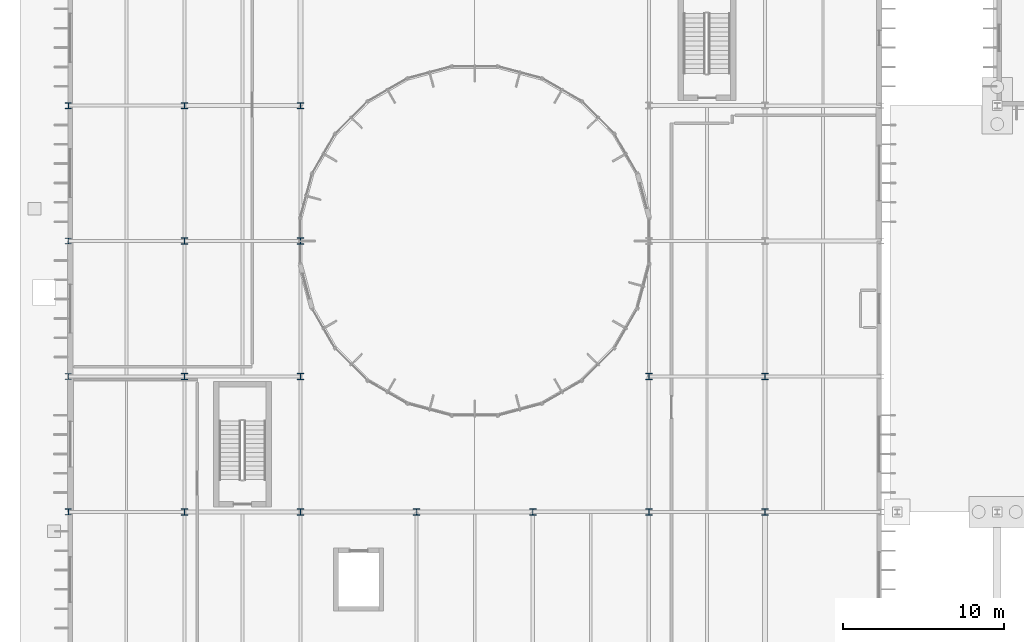
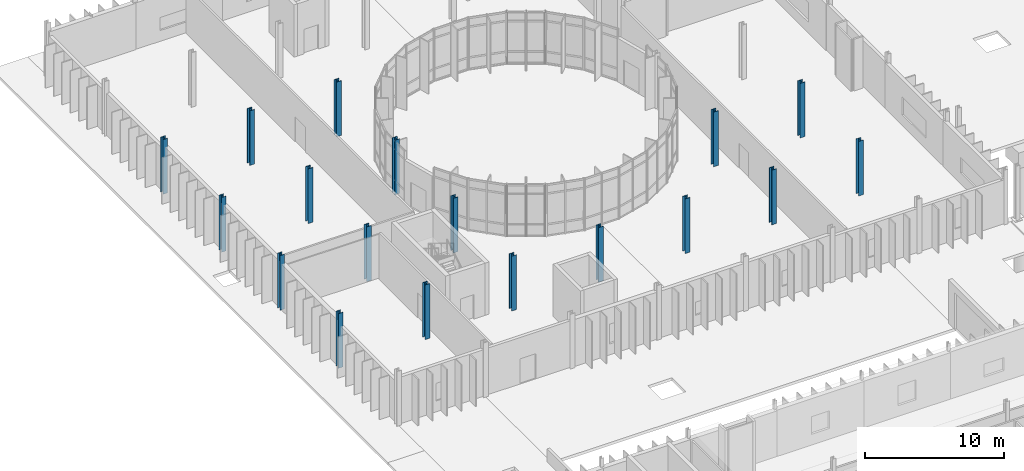
# One storey, part 17 of 118: 18 columns.
"""IFC4 building model written with IfcOpenShell, lengths in metres."""

from ifc_helpers import new_model, si_unit, direction, frame, origin, origin_2d, place, context, subcontext, project, spatial, i_section, extrude, material, material_profile, profile_set, type_object, element, save


model = new_model("IFC4")

# Units and contexts
model_context = context("Model", 3, precision=1e-05, world=origin(), true_north=direction((0.0, 1.0)))
body_context = subcontext(model_context, "Body", "Model", "MODEL_VIEW")
ifc_project = project(units=[si_unit("LENGTHUNIT", "METRE"), si_unit("AREAUNIT", "SQUARE_METRE"), si_unit("VOLUMEUNIT", "CUBIC_METRE"), si_unit("PLANEANGLEUNIT", "RADIAN"), si_unit("MASSUNIT", "GRAM", prefix="KILO")], contexts=[model_context])

# Site, building, storey
site_placement = place(None, origin())
site = spatial("IfcSite", under=ifc_project, at=site_placement, CompositionType="ELEMENT")
building_placement = place(site_placement, origin())
building = spatial("IfcBuilding", under=site, at=building_placement, Name="Qelthora Terrace Specialist Clinic", CompositionType="ELEMENT")
storey_placement = place(building_placement, origin())
storey = spatial("IfcBuildingStorey", under=building, at=storey_placement, Name="L00", CompositionType="ELEMENT", Elevation=0.0)

# Columns
ifc_material = material(Name="Steel S355", Category="steel")
ifc_material_profile_1 = material_profile(ifc_material, i_section(OverallWidth=0.37109375, OverallDepth=0.364013671875, WebThickness=0.01318359375, FlangeThickness=0.021728515625, FilletRadius=0.02001953125, at=origin_2d()), Name="W360X162")
ifc_profile_set_1 = profile_set([ifc_material_profile_1], Name="Steel S355")
column_type_1 = type_object("IfcColumnType", Name="COL-W360X162", PredefinedType="COLUMN", material=ifc_profile_set_1)
column_1_placement = place(storey_placement, frame((0.0, 84.0, 0.0), z_axis=(0.0, 0.0, 1.0), x_axis=(1.0, 0.0, 0.0)))
element("IfcColumn", 1, at=column_1_placement, inside=storey, type_object=column_type_1, Name="Column L00-011", PredefinedType="COLUMN", context=body_context, shape_type="SweptSolid", body=[
    extrude(i_section(OverallWidth=0.37109375, OverallDepth=0.364013671875, WebThickness=0.01318359375, FlangeThickness=0.021728515625, FilletRadius=0.02001953125, at=origin_2d()), origin(), (0.0, 0.0, 1.0), 4.800048828125),
])
ifc_material_profile_2 = material_profile(ifc_material, i_section(OverallWidth=0.373046875, OverallDepth=0.367919921875, WebThickness=0.014892578125, FlangeThickness=0.02392578125, FilletRadius=0.02001953125, at=origin_2d()), Name="W360X179")
ifc_profile_set_2 = profile_set([ifc_material_profile_2], Name="Steel S355")
column_type_2 = type_object("IfcColumnType", Name="COL-W360X179", PredefinedType="COLUMN", material=ifc_profile_set_2)
column_2_placement = place(storey_placement, frame((0.0, 75.60009765625, 0.0), z_axis=(0.0, 0.0, 1.0), x_axis=(1.0, 0.0, 0.0)))
element("IfcColumn", 2, at=column_2_placement, inside=storey, type_object=column_type_2, Name="Column L00-010", PredefinedType="COLUMN", context=body_context, shape_type="SweptSolid", body=[
    extrude(i_section(OverallWidth=0.373046875, OverallDepth=0.367919921875, WebThickness=0.014892578125, FlangeThickness=0.02392578125, FilletRadius=0.02001953125, at=origin_2d()), origin(), (0.0, 0.0, 1.0), 4.800048828125),
])
ifc_material_profile_3 = material_profile(ifc_material, i_section(OverallWidth=0.3740234375, OverallDepth=0.3720703125, WebThickness=0.016357421875, FlangeThickness=0.026123046875, FilletRadius=0.02001953125, at=origin_2d()), Name="W360X196")
ifc_profile_set_3 = profile_set([ifc_material_profile_3], Name="Steel S355")
column_type_3 = type_object("IfcColumnType", Name="COL-W360X196", PredefinedType="COLUMN", material=ifc_profile_set_3)
for number, where, z_axis, x_axis, name in (
    (3, (0.0, 67.199951171875, 0.0), (0.0, 0.0, 1.0), (1.0, 0.0, 0.0), "Column L00-009"),
    (4, (0.0, 92.39990234375, 0.0), (0.0, 0.0, 1.0), (1.0, 0.0, 0.0), "Column L00-012"),
):
    element("IfcColumn", number, at=place(storey_placement, frame(where, z_axis=z_axis, x_axis=x_axis)), inside=storey, type_object=column_type_3, Name=name, PredefinedType="COLUMN", context=body_context, shape_type="SweptSolid", body=[
        extrude(i_section(OverallWidth=0.3740234375, OverallDepth=0.3720703125, WebThickness=0.016357421875, FlangeThickness=0.026123046875, FilletRadius=0.02001953125, at=origin_2d()), origin(), (0.0, 0.0, 1.0), 4.800048828125),
    ])
ifc_material_profile_4 = material_profile(ifc_material, i_section(OverallWidth=0.39501953125, OverallDepth=0.3798828125, WebThickness=0.018798828125, FlangeThickness=0.0302734375, FilletRadius=0.02001953125, at=origin_2d()), Name="W360X237")
ifc_profile_set_4 = profile_set([ifc_material_profile_4], Name="Steel S355")
column_type_4 = type_object("IfcColumnType", Name="COL-W360X237", PredefinedType="COLUMN", material=ifc_profile_set_4)
for number, where, z_axis, x_axis, name in (
    (5, (7.199951171875, 92.39990234375, 0.0), (0.0, 0.0, 1.0), (1.0, 0.0, 0.0), "Column L00-026"),
    (6, (14.39990234375, 92.39990234375, 0.0), (0.0, 0.0, 1.0), (1.0, 0.0, 0.0), "Column L00-040"),
):
    element("IfcColumn", number, at=place(storey_placement, frame(where, z_axis=z_axis, x_axis=x_axis)), inside=storey, type_object=column_type_4, Name=name, PredefinedType="COLUMN", context=body_context, shape_type="SweptSolid", body=[
        extrude(i_section(OverallWidth=0.39501953125, OverallDepth=0.3798828125, WebThickness=0.018798828125, FlangeThickness=0.0302734375, FilletRadius=0.02001953125, at=origin_2d()), origin(), (0.0, 0.0, 1.0), 4.800048828125),
    ])
ifc_material_profile_5 = material_profile(ifc_material, i_section(OverallWidth=0.39794921875, OverallDepth=0.386962890625, WebThickness=0.02099609375, FlangeThickness=0.033203125, FilletRadius=0.02001953125, at=origin_2d()), Name="W360X262")
ifc_profile_set_5 = profile_set([ifc_material_profile_5], Name="Steel S355")
column_type_5 = type_object("IfcColumnType", Name="COL-W360X262", PredefinedType="COLUMN", material=ifc_profile_set_5)
for number, where, z_axis, x_axis, name in (
    (7, (7.199951171875, 67.199951171875, 0.0), (0.0, 0.0, 1.0), (1.0, 0.0, 0.0), "Column L00-023"),
    (8, (7.199951171875, 84.0, 0.0), (0.0, 0.0, 1.0), (1.0, 0.0, 0.0), "Column L00-025"),
    (9, (14.39990234375, 67.199951171875, 0.0), (0.0, 0.0, 1.0), (1.0, 0.0, 0.0), "Column L00-037"),
    (10, (14.39990234375, 84.0, 0.0), (0.0, 0.0, 1.0), (1.0, 0.0, 0.0), "Column L00-039"),
    (11, (21.60009765625, 67.199951171875, 0.0), (0.0, 0.0, 1.0), (1.0, 0.0, 0.0), "Column L00-051"),
    (12, (36.0, 67.199951171875, 0.0), (0.0, 0.0, 1.0), (1.0, 0.0, 0.0), "Column L00-073"),
    (13, (43.199951171875, 67.199951171875, 0.0), (0.0, 0.0, 1.0), (1.0, 0.0, 0.0), "Column L00-087"),
):
    element("IfcColumn", number, at=place(storey_placement, frame(where, z_axis=z_axis, x_axis=x_axis)), inside=storey, type_object=column_type_5, Name=name, PredefinedType="COLUMN", context=body_context, shape_type="SweptSolid", body=[
        extrude(i_section(OverallWidth=0.39794921875, OverallDepth=0.386962890625, WebThickness=0.02099609375, FlangeThickness=0.033203125, FilletRadius=0.02001953125, at=origin_2d()), origin(), (0.0, 0.0, 1.0), 4.800048828125),
    ])
ifc_material_profile_6 = material_profile(ifc_material, i_section(OverallWidth=0.39892578125, OverallDepth=0.39306640625, WebThickness=0.022705078125, FlangeThickness=0.035888671875, FilletRadius=0.02001953125, at=origin_2d()), Name="W360X287")
ifc_profile_set_6 = profile_set([ifc_material_profile_6], Name="Steel S355")
column_type_6 = type_object("IfcColumnType", Name="COL-W360X287", PredefinedType="COLUMN", material=ifc_profile_set_6)
for number, where, z_axis, x_axis, name in (
    (14, (7.199951171875, 75.60009765625, 0.0), (0.0, 0.0, 1.0), (1.0, 0.0, 0.0), "Column L00-024"),
    (15, (14.39990234375, 75.60009765625, 0.0), (0.0, 0.0, 1.0), (1.0, 0.0, 0.0), "Column L00-038"),
    (16, (28.800048828125, 67.199951171875, 0.0), (0.0, 0.0, 1.0), (1.0, 0.0, 0.0), "Column L00-062"),
    (17, (36.0, 75.60009765625, 0.0), (0.0, 0.0, 1.0), (1.0, 0.0, 0.0), "Column L00-074"),
    (18, (43.199951171875, 75.60009765625, 0.0), (0.0, 0.0, 1.0), (1.0, 0.0, 0.0), "Column L00-088"),
):
    element("IfcColumn", number, at=place(storey_placement, frame(where, z_axis=z_axis, x_axis=x_axis)), inside=storey, type_object=column_type_6, Name=name, PredefinedType="COLUMN", context=body_context, shape_type="SweptSolid", body=[
        extrude(i_section(OverallWidth=0.39892578125, OverallDepth=0.39306640625, WebThickness=0.022705078125, FlangeThickness=0.035888671875, FilletRadius=0.02001953125, at=origin_2d()), origin(), (0.0, 0.0, 1.0), 4.800048828125),
    ])

save(model, "model.ifc")
